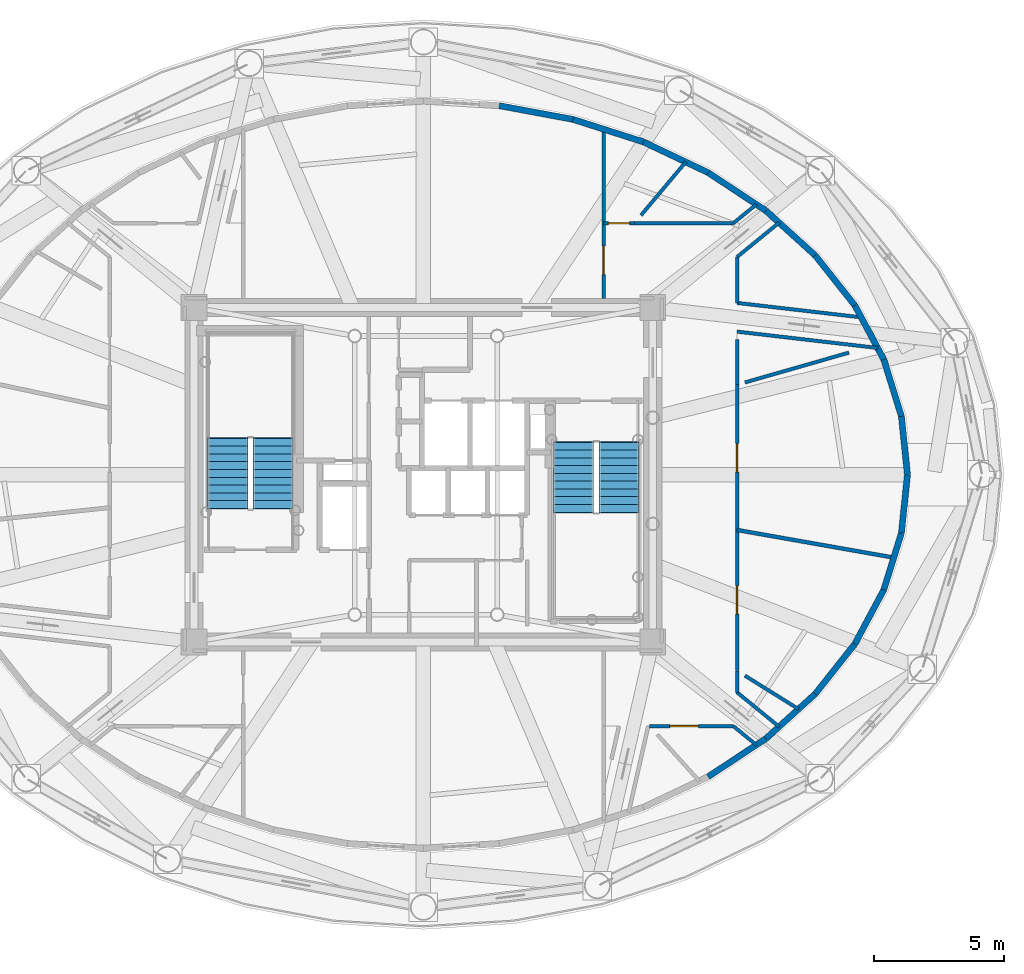
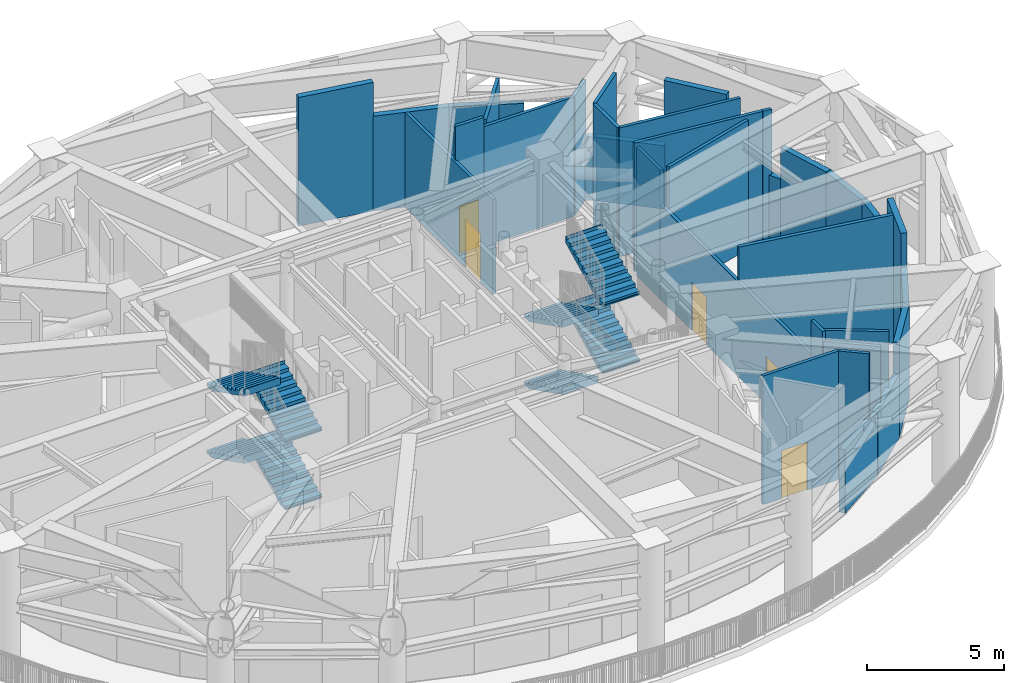
# One storey, part 10 of 17: 34 walls, 8 stair flights, 5 doors, 5 openings, 2 elements without a shape of their own.
"""IFC4 building model written with IfcOpenShell, lengths in metres."""

from ifc_helpers import new_model, si_unit, direction, frame, frame_2d, origin, origin_2d, place, context, subcontext, project, spatial, polyline, rectangle, outline, extrude, source, transform, mapped, material, layer, layer_set, type_object, element, fill, aggregate, save


model = new_model("IFC4")

# Units and contexts
model_context = context("Model", 3, precision=1e-05, world=origin(), true_north=direction((0.0, 1.0)))
body_context = subcontext(model_context, "Body", "Model", "MODEL_VIEW")
ifc_project = project(units=[si_unit("LENGTHUNIT", "METRE"), si_unit("AREAUNIT", "SQUARE_METRE"), si_unit("VOLUMEUNIT", "CUBIC_METRE"), si_unit("PLANEANGLEUNIT", "RADIAN"), si_unit("MASSUNIT", "GRAM", prefix="KILO")], contexts=[model_context])

# Site, building, storey
site_placement = place(None, origin())
site = spatial("IfcSite", under=ifc_project, at=site_placement, CompositionType="ELEMENT")
building_placement = place(site_placement, origin())
building = spatial("IfcBuilding", under=site, at=building_placement, Name="Linh Dai School and Residence Tower", CompositionType="ELEMENT")
storey_placement = place(building_placement, frame((0.0, 0.0, 318.0)))
storey = spatial("IfcBuildingStorey", under=building, at=storey_placement, Name="L79", CompositionType="ELEMENT", Elevation=318.0)

# Walls
ifc_material_1 = material(Name="Precast Concrete B45 (C35/45)", Category="concrete")
ifc_layer_1 = layer(ifc_material_1, 0.239990234375)
ifc_layer_set_1 = layer_set([ifc_layer_1], Name="Precast Concrete B45 (C35/45)")
wall_type_1 = type_object("IfcWallType", Name="EW-TC-240", PredefinedType="SOLIDWALL", material=ifc_layer_set_1)
wall_1_placement = place(storey_placement, frame((54.446044921875, 29.24951171875, 0.0), z_axis=(0.0, 0.0, 1.0), x_axis=(0.101278157468, -0.994858148089, 0.0)))
element("IfcWall", 1, at=wall_1_placement, inside=storey, type_object=wall_type_1, Name="L79 Terracotta Exterior Wall 01", PredefinedType="SOLIDWALL", context=body_context, shape_type="SweptSolid", body=[
    extrude(rectangle(XDim=2.26123046875, YDim=0.239990234375, at=frame_2d((1.130615234375, 0.0))), origin(), (0.0, 0.0, 1.0), 4.235107421875),
])
wall_2_placement = place(storey_placement, frame((53.7646484375, 31.444580078125, 0.0), z_axis=(0.0, 0.0, 1.0), x_axis=(0.296466035026, -0.95504339696, 0.0)))
element("IfcWall", 2, at=wall_2_placement, inside=storey, type_object=wall_type_1, Name="L79 Terracotta Exterior Wall 02", PredefinedType="SOLIDWALL", context=body_context, shape_type="SweptSolid", body=[
    extrude(rectangle(XDim=2.29833984375, YDim=0.239990234375, at=frame_2d((1.149169921875, 0.0))), origin(), (0.0, 0.0, 1.0), 4.235107421875),
])
wall_3_placement = place(storey_placement, frame((52.646484375, 33.5322265625, 0.0), z_axis=(0.0, 0.0, 1.0), x_axis=(0.472149891985, -0.881518280865, 0.0)))
element("IfcWall", 3, at=wall_3_placement, inside=storey, type_object=wall_type_1, Name="L79 Terracotta Exterior Wall 03", PredefinedType="SOLIDWALL", context=body_context, shape_type="SweptSolid", body=[
    extrude(rectangle(XDim=2.3681640625, YDim=0.239990234375, at=frame_2d((1.18408203125, 0.0))), origin(), (0.0, 0.0, 1.0), 2.83203125),
])
wall_4_placement = place(storey_placement, frame((51.118408203125, 35.460693359375, 0.0), z_axis=(0.0, 0.0, 1.0), x_axis=(0.621045987707, -0.783774126361, 0.0)))
element("IfcWall", 4, at=wall_4_placement, inside=storey, type_object=wall_type_1, Name="L79 Terracotta Exterior Wall 04", PredefinedType="SOLIDWALL", context=body_context, shape_type="SweptSolid", body=[
    extrude(rectangle(XDim=2.46044921875, YDim=0.239990234375, at=frame_2d((1.230224609375, 0.0))), origin(), (0.0, 0.0, 1.0), 5.75),
])
wall_5_placement = place(storey_placement, frame((49.217041015625, 37.182373046875, 0.0), z_axis=(0.0, 0.0, 1.0), x_axis=(0.741265131079, -0.671212340058, 0.0)))
element("IfcWall", 5, at=wall_5_placement, inside=storey, type_object=wall_type_1, Name="L79 Terracotta Exterior Wall 05", PredefinedType="SOLIDWALL", context=body_context, shape_type="SweptSolid", body=[
    extrude(rectangle(XDim=2.56494140625, YDim=0.239990234375, at=frame_2d((1.282470703125, 0.0))), origin(), (0.0, 0.0, 1.0), 2.83203125),
])
wall_6_placement = place(storey_placement, frame((46.989013671875, 38.654052734375, 0.0), z_axis=(0.0, 0.0, 1.0), x_axis=(0.834405901953, -0.551150424827, 0.0)))
element("IfcWall", 6, at=wall_6_placement, inside=storey, type_object=wall_type_1, Name="L79 Terracotta Exterior Wall 06", PredefinedType="SOLIDWALL", context=body_context, shape_type="SweptSolid", body=[
    extrude(rectangle(XDim=2.670166015625, YDim=0.239990234375, at=frame_2d((1.3349609375, 0.0))), origin(), (0.0, 0.0, 1.0), 2.83203125),
])
wall_7_placement = place(storey_placement, frame((44.4892578125, 39.8388671875, 0.0), z_axis=(0.0, 0.0, 1.0), x_axis=(0.903637179904, -0.428298782505, 0.0)))
element("IfcWall", 7, at=wall_7_placement, inside=storey, type_object=wall_type_1, Name="L79 Terracotta Exterior Wall 07", PredefinedType="SOLIDWALL", context=body_context, shape_type="SweptSolid", body=[
    extrude(rectangle(XDim=2.766357421875, YDim=0.239990234375, at=frame_2d((1.38330078125, 0.0))), origin(), (0.0, 0.0, 1.0), 4.235107421875),
])
wall_8_placement = place(storey_placement, frame((41.779052734375, 40.70703125, 0.0), z_axis=(0.0, 0.0, 1.0), x_axis=(0.952332464146, -0.305062088326, 0.0)))
element("IfcWall", 8, at=wall_8_placement, inside=storey, type_object=wall_type_1, Name="L79 Terracotta Exterior Wall 08", PredefinedType="SOLIDWALL", context=body_context, shape_type="SweptSolid", body=[
    extrude(rectangle(XDim=2.845947265625, YDim=0.239990234375, at=frame_2d((1.4228515625, 0.0))), origin(), (0.0, 0.0, 1.0), 4.235107421875),
])
wall_9_placement = place(storey_placement, frame((38.92578125, 41.23681640625, 0.0), z_axis=(0.0, 0.0, 1.0), x_axis=(0.983195423776, -0.182556179481, 0.0)))
element("IfcWall", 9, at=wall_9_placement, inside=storey, type_object=wall_type_1, Name="L79 Terracotta Exterior Wall 09", PredefinedType="SOLIDWALL", context=body_context, shape_type="SweptSolid", body=[
    extrude(rectangle(XDim=2.902099609375, YDim=0.239990234375, at=frame_2d((1.451171875, 0.0))), origin(), (0.0, 0.0, 1.0), 5.75),
])
wall_10_placement = place(storey_placement, frame((49.217041015625, 16.817626953125, 0.0), z_axis=(0.0, 0.0, 1.0), x_axis=(-0.834405901953, -0.551150424827, 0.0)))
element("IfcWall", 10, at=wall_10_placement, inside=storey, type_object=wall_type_1, Name="L79 Terracotta Exterior Wall 35", PredefinedType="SOLIDWALL", context=body_context, shape_type="SweptSolid", body=[
    extrude(rectangle(XDim=2.670166015625, YDim=0.239990234375, at=frame_2d((1.3349609375, 0.0))), origin(), (0.0, 0.0, 1.0), 2.83203125),
])
wall_11_placement = place(storey_placement, frame((51.118408203125, 18.539306640625, 0.0), z_axis=(0.0, 0.0, 1.0), x_axis=(-0.741265131079, -0.671212340058, 0.0)))
element("IfcWall", 11, at=wall_11_placement, inside=storey, type_object=wall_type_1, Name="L79 Terracotta Exterior Wall 36", PredefinedType="SOLIDWALL", context=body_context, shape_type="SweptSolid", body=[
    extrude(rectangle(XDim=2.56494140625, YDim=0.239990234375, at=frame_2d((1.282470703125, 0.0))), origin(), (0.0, 0.0, 1.0), 2.83203125),
])
wall_12_placement = place(storey_placement, frame((52.646484375, 20.4677734375, 0.0), z_axis=(0.0, 0.0, 1.0), x_axis=(-0.621045987707, -0.783774126361, 0.0)))
element("IfcWall", 12, at=wall_12_placement, inside=storey, type_object=wall_type_1, Name="L79 Terracotta Exterior Wall 37", PredefinedType="SOLIDWALL", context=body_context, shape_type="SweptSolid", body=[
    extrude(rectangle(XDim=2.46044921875, YDim=0.239990234375, at=frame_2d((1.230224609375, 0.0))), origin(), (0.0, 0.0, 1.0), 4.235107421875),
])
wall_13_placement = place(storey_placement, frame((53.7646484375, 22.555419921875, 0.0), z_axis=(0.0, 0.0, 1.0), x_axis=(-0.472149891985, -0.881518280865, 0.0)))
element("IfcWall", 13, at=wall_13_placement, inside=storey, type_object=wall_type_1, Name="L79 Terracotta Exterior Wall 38", PredefinedType="SOLIDWALL", context=body_context, shape_type="SweptSolid", body=[
    extrude(rectangle(XDim=2.3681640625, YDim=0.239990234375, at=frame_2d((1.18408203125, 0.0))), origin(), (0.0, 0.0, 1.0), 4.235107421875),
])
wall_14_placement = place(storey_placement, frame((54.446044921875, 24.75048828125, 0.0), z_axis=(0.0, 0.0, 1.0), x_axis=(-0.296466035026, -0.95504339696, 0.0)))
element("IfcWall", 14, at=wall_14_placement, inside=storey, type_object=wall_type_1, Name="L79 Terracotta Exterior Wall 39", PredefinedType="SOLIDWALL", context=body_context, shape_type="SweptSolid", body=[
    extrude(rectangle(XDim=2.29833984375, YDim=0.239990234375, at=frame_2d((1.149169921875, 0.0))), origin(), (0.0, 0.0, 1.0), 5.75),
])
wall_15_placement = place(storey_placement, frame((54.675048828125, 27.0, 0.0), z_axis=(0.0, 0.0, 1.0), x_axis=(-0.101278157468, -0.994858148089, 0.0)))
element("IfcWall", 15, at=wall_15_placement, inside=storey, type_object=wall_type_1, Name="L79 Terracotta Exterior Wall 40", PredefinedType="SOLIDWALL", context=body_context, shape_type="SweptSolid", body=[
    extrude(rectangle(XDim=2.26123046875, YDim=0.239990234375, at=frame_2d((1.130615234375, 0.0))), origin(), (0.0, 0.0, 1.0), 4.235107421875),
])

# Wall, opening, door
ifc_material_2 = material(Name="Autoclaved Aerated Concrete Blockwork", Category="masonry")
ifc_layer_2 = layer(ifc_material_2, 0.135009765625)
ifc_layer_set_2 = layer_set([ifc_layer_2], Name="Autoclaved Aerated Concrete Blockwork")
wall_type_2 = type_object("IfcWallType", Name="IW-CORR-135-EI90", PredefinedType="PARTITIONING", material=ifc_layer_set_2)
wall_16_placement = place(storey_placement, frame((42.949951171875, 33.800048828125, 0.0), z_axis=(0.0, 0.0, 1.0), x_axis=(0.0, 1.0, 0.0)))
wall_16 = element("IfcWall", 16, at=wall_16_placement, inside=storey, type_object=wall_type_2, Name="L79 Interior Partition Wall 047", PredefinedType="PARTITIONING", context=body_context, shape_type="SweptSolid", body=[
    extrude(rectangle(XDim=6.537109375, YDim=0.135009765625, at=frame_2d((3.2685546875, 0.0))), origin(), (0.0, 0.0, 1.0), 4.235107421875),
])
opening_1_placement = place(wall_16_placement, frame((0.919921875, 0.0, 0.0)))
opening_1 = element("IfcOpeningElement", 17, at=opening_1_placement, cuts=wall_16, Name="Opening D07", PredefinedType="OPENING", context=body_context, shape_type="SweptSolid", body=[
    extrude(rectangle(XDim=1.10009765625, YDim=2.14990234375, at=origin_2d()), frame((0.550048828125, 0.07763671875, 1.074951171875), z_axis=(0.0, -1.0, 0.0), x_axis=(1.0, 0.0, 0.0)), (0.0, 0.0, 1.0), 0.155029296875),
])
ifc_material_3 = material(Name="Fire-Rated Louvred Steel Plant Door", Category="steel")
door_type_1 = type_object("IfcDoorType", Name="DR-PLT-1100x2150-FD60S", OperationType="NOTDEFINED", PredefinedType="DOOR", material=ifc_material_3)
shared_shape_1 = source(origin(), body_context, "Body", "SweptSolid", [
    extrude(rectangle(XDim=1.10009765625, YDim=2.14990234375, at=origin_2d()), frame((0.550048828125, 0.02490234375, 1.074951171875), z_axis=(0.0, -1.0, 0.0), x_axis=(1.0, 0.0, 0.0)), (0.0, 0.0, 1.0), 0.050048828125),
])
door_1_placement = place(opening_1_placement, origin())
door_1 = element("IfcDoor", 18, at=door_1_placement, inside=storey, type_object=door_type_1, Name="L79 Pressurised Fire Refuge Area North Corridor Door", OperationType="SINGLE_SWING_LEFT", OverallHeight=2.14990234375, OverallWidth=1.10009765625, PredefinedType="DOOR", context=body_context, shape_type="MappedRepresentation", body=[
    mapped(shared_shape_1, transform((0.0, 0.0, 0.0), x_axis=(1.0, 0.0, 0.0), y_axis=(0.0, 1.0, 0.0), z_axis=(0.0, 0.0, 1.0), scale=1.0)),
])
fill(opening_1, door_1)

wall_17_placement = place(storey_placement, frame((42.949951171875, 36.699951171875, 0.0), z_axis=(0.0, 0.0, 1.0), x_axis=(1.0, 0.0, 0.0)))
wall_17 = element("IfcWall", 19, at=wall_17_placement, inside=storey, type_object=wall_type_2, Name="L79 Interior Partition Wall 048", PredefinedType="PARTITIONING", context=body_context, shape_type="SweptSolid", body=[
    extrude(rectangle(XDim=1.189208984375, YDim=0.135009765625, at=frame_2d((0.5947265625, 0.0))), origin(), (0.0, 0.0, 1.0), 5.75),
])
opening_2_placement = place(wall_17_placement, frame((0.1845703125, 0.0, 0.0)))
opening_2 = element("IfcOpeningElement", 20, at=opening_2_placement, cuts=wall_17, Name="Opening D06", PredefinedType="OPENING", context=body_context, shape_type="SweptSolid", body=[
    extrude(rectangle(XDim=0.820068359375, YDim=2.10009765625, at=origin_2d()), frame((0.41015625, 0.07763671875, 1.050048828125), z_axis=(0.0, -1.0, 0.0), x_axis=(1.0, 0.0, 0.0)), (0.0, 0.0, 1.0), 0.155029296875),
])
ifc_material_4 = material(Name="Moisture-Resistant Timber Bathroom Door", Category="wood")
door_type_2 = type_object("IfcDoorType", Name="DR-WET-820x2100", OperationType="NOTDEFINED", PredefinedType="DOOR", material=ifc_material_4)
shared_shape_2 = source(origin(), body_context, "Body", "SweptSolid", [
    extrude(rectangle(XDim=0.820068359375, YDim=2.10009765625, at=origin_2d()), frame((0.41015625, 0.02490234375, 1.050048828125), z_axis=(0.0, -1.0, 0.0), x_axis=(1.0, 0.0, 0.0)), (0.0, 0.0, 1.0), 0.050048828125),
])
door_2_placement = place(opening_2_placement, origin())
door_2 = element("IfcDoor", 21, at=door_2_placement, inside=storey, type_object=door_type_2, Name="L79 Zone Domestic Booster Pump Plant Room Door", OperationType="SINGLE_SWING_LEFT", OverallHeight=2.10009765625, OverallWidth=0.820068359375, PredefinedType="DOOR", context=body_context, shape_type="MappedRepresentation", body=[
    mapped(shared_shape_2, transform((0.0, 0.0, 0.0), x_axis=(1.0, 0.0, 0.0), y_axis=(0.0, 1.0, 0.0), z_axis=(0.0, 0.0, 1.0), scale=1.0)),
])
fill(opening_2, door_2)

wall_18_placement = place(storey_placement, frame((44.73388671875, 17.300048828125, 0.0), z_axis=(0.0, 0.0, 1.0), x_axis=(1.0, 0.0, 0.0)))
wall_18 = element("IfcWall", 22, at=wall_18_placement, inside=storey, type_object=wall_type_2, Name="L79 Interior Partition Wall 049", PredefinedType="PARTITIONING", context=body_context, shape_type="SweptSolid", body=[
    extrude(rectangle(XDim=3.223876953125, YDim=0.135009765625, at=frame_2d((1.61181640625, 0.0))), origin(), (0.0, 0.0, 1.0), 5.75),
])
opening_3_placement = place(wall_18_placement, frame((0.779296875, 0.0, 0.0)))
opening_3 = element("IfcOpeningElement", 23, at=opening_3_placement, cuts=wall_18, Name="Opening D07", PredefinedType="OPENING", context=body_context, shape_type="SweptSolid", body=[
    extrude(rectangle(XDim=1.10009765625, YDim=2.14990234375, at=origin_2d()), frame((0.550048828125, 0.07763671875, 1.074951171875), z_axis=(0.0, -1.0, 0.0), x_axis=(1.0, 0.0, 0.0)), (0.0, 0.0, 1.0), 0.155029296875),
])
door_3_placement = place(opening_3_placement, origin())
door_3 = element("IfcDoor", 24, at=door_3_placement, inside=storey, type_object=door_type_1, Name="L79 Refuge Emergency Equipment & First-Aid Store Door", OperationType="SINGLE_SWING_RIGHT", OverallHeight=2.14990234375, OverallWidth=1.10009765625, PredefinedType="DOOR", context=body_context, shape_type="MappedRepresentation", body=[
    mapped(shared_shape_1, transform((0.0, 0.0, 0.0), x_axis=(1.0, 0.0, 0.0), y_axis=(0.0, 1.0, 0.0), z_axis=(0.0, 0.0, 1.0), scale=1.0)),
])
fill(opening_3, door_3)

# Wall
wall_19_placement = place(storey_placement, frame((47.957763671875, 17.300048828125, 0.0), z_axis=(0.0, 0.0, 1.0), x_axis=(0.774324787676, -0.632788371568, 0.0)))
element("IfcWall", 25, at=wall_19_placement, inside=storey, type_object=wall_type_2, Name="L79 Interior Partition Wall 050", PredefinedType="PARTITIONING", context=body_context, shape_type="SweptSolid", body=[
    extrude(rectangle(XDim=1.154052734375, YDim=0.135009765625, at=frame_2d((0.5771484375, 0.0))), origin(), (0.0, 0.0, 1.0), 5.75),
])

# Wall, openings, doors
wall_20_placement = place(storey_placement, frame((48.10009765625, 19.43896484375, 0.0), z_axis=(0.0, 0.0, 1.0), x_axis=(0.0, 1.0, 0.0)))
wall_20 = element("IfcWall", 26, at=wall_20_placement, inside=storey, type_object=wall_type_2, Name="L79 Interior Partition Wall 051", PredefinedType="PARTITIONING", context=body_context, shape_type="SweptSolid", body=[
    extrude(rectangle(XDim=11.03076171875, YDim=0.135009765625, at=frame_2d((5.515380859375, 0.0))), origin(), (0.0, 0.0, 1.0), 4.235107421875),
])
opening_4_placement = place(wall_20_placement, frame((2.18359375, 0.0, 0.0)))
opening_4 = element("IfcOpeningElement", 27, at=opening_4_placement, cuts=wall_20, Name="Opening D07", PredefinedType="OPENING", context=body_context, shape_type="SweptSolid", body=[
    extrude(rectangle(XDim=1.10009765625, YDim=2.14990234375, at=origin_2d()), frame((0.550048828125, 0.07763671875, 1.074951171875), z_axis=(0.0, -1.0, 0.0), x_axis=(1.0, 0.0, 0.0)), (0.0, 0.0, 1.0), 0.155029296875),
])
opening_5_placement = place(wall_20_placement, frame((7.658935546875, 0.0, 0.0)))
opening_5 = element("IfcOpeningElement", 28, at=opening_5_placement, cuts=wall_20, Name="Opening D07", PredefinedType="OPENING", context=body_context, shape_type="SweptSolid", body=[
    extrude(rectangle(XDim=1.10009765625, YDim=2.14990234375, at=origin_2d()), frame((0.550048828125, 0.07763671875, 1.074951171875), z_axis=(0.0, -1.0, 0.0), x_axis=(1.0, 0.0, 0.0)), (0.0, 0.0, 1.0), 0.155029296875),
])
door_4_placement = place(opening_4_placement, origin())
door_4 = element("IfcDoor", 29, at=door_4_placement, inside=storey, type_object=door_type_1, Name="L79 Primary Air-Handling Plant Room East 1 Door", OperationType="SINGLE_SWING_LEFT", OverallHeight=2.14990234375, OverallWidth=1.10009765625, PredefinedType="DOOR", context=body_context, shape_type="MappedRepresentation", body=[
    mapped(shared_shape_1, transform((0.0, 0.0, 0.0), x_axis=(1.0, 0.0, 0.0), y_axis=(0.0, 1.0, 0.0), z_axis=(0.0, 0.0, 1.0), scale=1.0)),
])
fill(opening_4, door_4)
door_5_placement = place(opening_5_placement, origin())
door_5 = element("IfcDoor", 30, at=door_5_placement, inside=storey, type_object=door_type_1, Name="L79 Primary Air-Handling Plant Room East 2 Door", OperationType="SINGLE_SWING_RIGHT", OverallHeight=2.14990234375, OverallWidth=1.10009765625, PredefinedType="DOOR", context=body_context, shape_type="MappedRepresentation", body=[
    mapped(shared_shape_1, transform((0.0, 0.0, 0.0), x_axis=(1.0, 0.0, 0.0), y_axis=(0.0, 1.0, 0.0), z_axis=(0.0, 0.0, 1.0), scale=1.0)),
])
fill(opening_5, door_5)

# Walls
wall_21_placement = place(storey_placement, frame((53.185546875, 31.927978515625, 0.0), z_axis=(0.0, 0.0, 1.0), x_axis=(0.993273839517, -0.115788944775, 0.0)))
element("IfcWall", 31, at=wall_21_placement, inside=storey, type_object=wall_type_2, Name="L79 Interior Partition Wall 053", PredefinedType="PARTITIONING", context=body_context, shape_type="SweptSolid", body=[
    extrude(rectangle(XDim=0.35009765625, YDim=0.135009765625, at=frame_2d((0.175048828125, 0.0))), origin(), (0.0, 0.0, 1.0), 5.75),
])
wall_22_placement = place(storey_placement, frame((44.149169921875, 36.699951171875, 0.0), z_axis=(0.0, 0.0, 1.0), x_axis=(1.0, 0.0, 0.0)))
element("IfcWall", 32, at=wall_22_placement, inside=storey, type_object=wall_type_2, Name="L79 Interior Partition Wall 075", PredefinedType="PARTITIONING", context=body_context, shape_type="SweptSolid", body=[
    extrude(rectangle(XDim=3.80859375, YDim=0.135009765625, at=frame_2d((1.904296875, 0.0))), origin(), (0.0, 0.0, 1.0), 5.3349609375),
])
wall_23_placement = place(storey_placement, frame((47.957763671875, 36.699951171875, 0.0), z_axis=(0.0, 0.0, 1.0), x_axis=(0.774324787676, 0.632788371568, 0.0)))
element("IfcWall", 33, at=wall_23_placement, inside=storey, type_object=wall_type_2, Name="L79 Interior Partition Wall 076", PredefinedType="PARTITIONING", context=body_context, shape_type="SweptSolid", body=[
    extrude(rectangle(XDim=1.154052734375, YDim=0.135009765625, at=frame_2d((0.5771484375, 0.0))), origin(), (0.0, 0.0, 1.0), 5.3349609375),
])
wall_24_placement = place(storey_placement, frame((49.728271484375, 36.726318359375, 0.0), z_axis=(0.0, 0.0, 1.0), x_axis=(-0.774324461251, -0.632788771003, 0.0)))
element("IfcWall", 34, at=wall_24_placement, inside=storey, type_object=wall_type_2, Name="L79 Interior Partition Wall 077", PredefinedType="PARTITIONING", context=body_context, shape_type="SweptSolid", body=[
    extrude(rectangle(XDim=2.102783203125, YDim=0.135009765625, at=frame_2d((1.05126953125, 0.0))), origin(), (0.0, 0.0, 1.0), 5.75),
])
wall_25_placement = place(storey_placement, frame((48.10009765625, 35.395751953125, 0.0), z_axis=(0.0, 0.0, 1.0), x_axis=(0.0, -1.0, 0.0)))
element("IfcWall", 35, at=wall_25_placement, inside=storey, type_object=wall_type_2, Name="L79 Interior Partition Wall 078", PredefinedType="PARTITIONING", context=body_context, shape_type="SweptSolid", body=[
    extrude(rectangle(XDim=1.76953125, YDim=0.135009765625, at=frame_2d((0.884765625, 0.0))), origin(), (0.0, 0.0, 1.0), 5.75),
])
wall_26_placement = place(storey_placement, frame((48.10009765625, 33.626220703125, 0.0), z_axis=(0.0, 0.0, 1.0), x_axis=(0.993315464897, -0.115431309428, 0.0)))
element("IfcWall", 36, at=wall_26_placement, inside=storey, type_object=wall_type_2, Name="L79 Interior Partition Wall 079", PredefinedType="PARTITIONING", context=body_context, shape_type="SweptSolid", body=[
    extrude(rectangle(XDim=4.832763671875, YDim=0.135009765625, at=frame_2d((2.41650390625, 0.0))), origin(), (0.0, 0.0, 1.0), 5.75),
])
wall_27_placement = place(storey_placement, frame((53.17578125, 31.928955078125, 0.0), z_axis=(0.0, 0.0, 1.0), x_axis=(-0.993315281572, 0.115432886978, 0.0)))
element("IfcWall", 37, at=wall_27_placement, inside=storey, type_object=wall_type_2, Name="L79 Interior Partition Wall 080", PredefinedType="PARTITIONING", context=body_context, shape_type="SweptSolid", body=[
    extrude(rectangle(XDim=5.10986328125, YDim=0.135009765625, at=frame_2d((2.554931640625, 0.0))), origin(), (0.0, 0.0, 1.0), 5.75),
])
wall_28_placement = place(storey_placement, frame((48.10009765625, 32.209228515625, 0.0), z_axis=(0.0, 0.0, 1.0), x_axis=(0.0, -1.0, 0.0)))
element("IfcWall", 38, at=wall_28_placement, inside=storey, type_object=wall_type_2, Name="L79 Interior Partition Wall 081", PredefinedType="PARTITIONING", context=body_context, shape_type="SweptSolid", body=[
    extrude(rectangle(XDim=1.7294921875, YDim=0.135009765625, at=frame_2d((0.86474609375, 0.0))), origin(), (0.0, 0.0, 1.0), 5.75),
])
wall_29_placement = place(storey_placement, frame((48.10009765625, 19.42919921875, 0.0), z_axis=(0.0, 0.0, 1.0), x_axis=(0.0, -1.0, 0.0)))
element("IfcWall", 39, at=wall_29_placement, inside=storey, type_object=wall_type_2, Name="L79 Interior Partition Wall 082", PredefinedType="PARTITIONING", context=body_context, shape_type="SweptSolid", body=[
    extrude(rectangle(XDim=0.824951171875, YDim=0.135009765625, at=frame_2d((0.41259765625, 0.0))), origin(), (0.0, 0.0, 1.0), 5.75),
])
wall_30_placement = place(storey_placement, frame((48.10009765625, 18.604248046875, 0.0), z_axis=(0.0, 0.0, 1.0), x_axis=(0.774324461251, -0.632788771003, 0.0)))
element("IfcWall", 40, at=wall_30_placement, inside=storey, type_object=wall_type_2, Name="L79 Interior Partition Wall 083", PredefinedType="PARTITIONING", context=body_context, shape_type="SweptSolid", body=[
    extrude(rectangle(XDim=2.102783203125, YDim=0.135009765625, at=frame_2d((1.05126953125, 0.0))), origin(), (0.0, 0.0, 1.0), 5.3349609375),
])
wall_31_placement = place(storey_placement, frame((50.478271484375, 17.952880859375, 0.0), z_axis=(0.0, 0.0, 1.0), x_axis=(-0.848054469379, 0.529909064809, 0.0)))
element("IfcWall", 41, at=wall_31_placement, inside=storey, type_object=wall_type_2, Name="L79 Interior Partition Wall 084", PredefinedType="PARTITIONING", context=body_context, shape_type="SweptSolid", body=[
    extrude(rectangle(XDim=2.44189453125, YDim=0.135009765625, at=frame_2d((1.220947265625, 0.0))), origin(), (0.0, 0.0, 1.0), 5.3349609375),
])
wall_32_placement = place(storey_placement, frame((48.407470703125, 30.557861328125, 0.0), z_axis=(0.0, 0.0, 1.0), x_axis=(0.961269545764, 0.275609978751, 0.0)))
element("IfcWall", 42, at=wall_32_placement, inside=storey, type_object=wall_type_2, Name="L79 Interior Partition Wall 085", PredefinedType="PARTITIONING", context=body_context, shape_type="SweptSolid", body=[
    extrude(rectangle(XDim=4.17138671875, YDim=0.135009765625, at=frame_2d((2.085693359375, 0.0))), origin(), (0.0, 0.0, 1.0), 5.75),
])
wall_33_placement = place(storey_placement, frame((46.126708984375, 39.068359375, 0.0), z_axis=(0.0, 0.0, 1.0), x_axis=(-0.642849381004, -0.765992606585, 0.0)))
element("IfcWall", 43, at=wall_33_placement, inside=storey, type_object=wall_type_2, Name="L79 Interior Partition Wall 086", PredefinedType="PARTITIONING", context=body_context, shape_type="SweptSolid", body=[
    extrude(rectangle(XDim=2.6904296875, YDim=0.135009765625, at=frame_2d((1.34521484375, 0.0))), origin(), (0.0, 0.0, 1.0), 5.3349609375),
])
ifc_layer_3 = layer(ifc_material_2, 0.14990234375)
ifc_layer_set_3 = layer_set([ifc_layer_3], Name="Autoclaved Aerated Concrete Blockwork")
wall_type_3 = type_object("IfcWallType", Name="IW-SCH-150-EI60", PredefinedType="PARTITIONING", material=ifc_layer_set_3)
wall_34_placement = place(storey_placement, frame((48.10009765625, 24.866455078125, 0.0), z_axis=(0.0, 0.0, 1.0), x_axis=(0.984805134994, -0.173663024531, 0.0)))
element("IfcWall", 44, at=wall_34_placement, inside=storey, type_object=wall_type_3, Name="L79 Interior Partition Wall 052", PredefinedType="PARTITIONING", context=body_context, shape_type="SweptSolid", body=[
    extrude(rectangle(XDim=6.149169921875, YDim=0.14990234375, at=frame_2d((3.07470703125, 0.0))), origin(), (0.0, 0.0, 1.0), 5.75),
])

# Stair, stair flights
ifc_material_5 = material(Name="Concrete B45 (C35/45)", Category="concrete")
stair_type = type_object("IfcStairType", Name="ST-DOG-1550-R1500", PredefinedType="HALF_TURN_STAIR", material=ifc_material_5)
stair_1_placement = place(storey_placement, origin())
stair_1 = element("IfcStair", 45, at=stair_1_placement, inside=storey, type_object=stair_type, Name="L79 Core Smokeproof Exit Stair ST1", PredefinedType="HALF_TURN_STAIR")
stair_flight_type = type_object("IfcStairFlightType", Name="STF-STR-1550-R1500", PredefinedType="STRAIGHT", material=ifc_material_5)
shared_shape_3 = source(origin(), body_context, "Body", "SweptSolid", [
    extrude(outline(polyline([(-0.02490234375, 0.0), (-0.02490234375, 0.06005859375), (0.0, 0.06005859375), (0.0, 0.14990234375), (0.300048828125, 0.14990234375), (0.300048828125, 0.300048828125), (0.60009765625, 0.300048828125), (0.60009765625, 0.449951171875), (0.89990234375, 0.449951171875), (0.89990234375, 0.60009765625), (1.199951171875, 0.60009765625), (1.199951171875, 0.75), (1.5, 0.75), (1.5, 0.89990234375), (1.800048828125, 0.89990234375), (1.800048828125, 1.050048828125), (2.10009765625, 1.050048828125), (2.10009765625, 1.199951171875), (2.39990234375, 1.199951171875), (2.39990234375, 1.35009765625), (2.699951171875, 1.35009765625), (2.699951171875, 1.5), (2.72509765625, 1.5), (2.72509765625, 1.182373046875), (2.699951171875, 1.182373046875), (0.335205078125, 0.0), (-0.02490234375, 0.0)])), frame((0.0, 0.77490234375, 0.0), z_axis=(0.0, -1.0, 0.0), x_axis=(1.0, 0.0, 0.0)), (0.0, 0.0, 1.0), 1.550048828125),
])
stair_flight_1_placement = place(storey_placement, frame((30.205078125, 25.699951171875, 0.0), z_axis=(0.0, 0.0, 1.0), x_axis=(0.0, 1.0, 0.0)))
stair_flight_1 = element("IfcStairFlight", 46, at=stair_flight_1_placement, type_object=stair_flight_type, Name="ST1 flight 1", NumberOfRisers=10, NumberOfTreads=9, PredefinedType="STRAIGHT", RiserHeight=0.15, TreadLength=0.3, context=body_context, shape_type="MappedRepresentation", body=[
    mapped(shared_shape_3, transform((0.0, 0.0, 0.0), x_axis=(1.0, 0.0, 0.0), y_axis=(0.0, 1.0, 0.0), z_axis=(0.0, 0.0, 1.0), scale=1.0)),
])
stair_flight_2_placement = place(storey_placement, frame((28.455078125, 28.39990234375, 1.5), z_axis=(0.0, 0.0, 1.0), x_axis=(0.0, -1.0, 0.0)))
stair_flight_2 = element("IfcStairFlight", 47, at=stair_flight_2_placement, type_object=stair_flight_type, Name="ST1 flight 2", NumberOfRisers=10, NumberOfTreads=9, PredefinedType="STRAIGHT", RiserHeight=0.15, TreadLength=0.3, context=body_context, shape_type="MappedRepresentation", body=[
    mapped(shared_shape_3, transform((0.0, 0.0, 0.0), x_axis=(1.0, 0.0, 0.0), y_axis=(0.0, 1.0, 0.0), z_axis=(0.0, 0.0, 1.0), scale=1.0)),
])
stair_flight_3_placement = place(storey_placement, frame((30.205078125, 25.699951171875, 3.0), z_axis=(0.0, 0.0, 1.0), x_axis=(0.0, 1.0, 0.0)))
stair_flight_3 = element("IfcStairFlight", 48, at=stair_flight_3_placement, type_object=stair_flight_type, Name="ST1 flight 3", NumberOfRisers=10, NumberOfTreads=9, PredefinedType="STRAIGHT", RiserHeight=0.15, TreadLength=0.3, context=body_context, shape_type="MappedRepresentation", body=[
    mapped(shared_shape_3, transform((0.0, 0.0, 0.0), x_axis=(1.0, 0.0, 0.0), y_axis=(0.0, 1.0, 0.0), z_axis=(0.0, 0.0, 1.0), scale=1.0)),
])
stair_flight_4_placement = place(storey_placement, frame((28.455078125, 28.39990234375, 4.5), z_axis=(0.0, 0.0, 1.0), x_axis=(0.0, -1.0, 0.0)))
stair_flight_4 = element("IfcStairFlight", 49, at=stair_flight_4_placement, type_object=stair_flight_type, Name="ST1 flight 4", NumberOfRisers=10, NumberOfTreads=9, PredefinedType="STRAIGHT", RiserHeight=0.15, TreadLength=0.3, context=body_context, shape_type="MappedRepresentation", body=[
    mapped(shared_shape_3, transform((0.0, 0.0, 0.0), x_axis=(1.0, 0.0, 0.0), y_axis=(0.0, 1.0, 0.0), z_axis=(0.0, 0.0, 1.0), scale=1.0)),
])
aggregate(stair_1, [stair_flight_1, stair_flight_2, stair_flight_3, stair_flight_4])

stair_2_placement = place(storey_placement, origin())
stair_2 = element("IfcStair", 50, at=stair_2_placement, inside=storey, type_object=stair_type, Name="L79 Core Smokeproof Exit Stair ST2", PredefinedType="HALF_TURN_STAIR")
stair_flight_5_placement = place(storey_placement, frame((41.794921875, 28.25, 0.0), z_axis=(0.0, 0.0, 1.0), x_axis=(0.0, -1.0, 0.0)))
stair_flight_5 = element("IfcStairFlight", 51, at=stair_flight_5_placement, type_object=stair_flight_type, Name="ST2 flight 1", NumberOfRisers=10, NumberOfTreads=9, PredefinedType="STRAIGHT", RiserHeight=0.15, TreadLength=0.3, context=body_context, shape_type="MappedRepresentation", body=[
    mapped(shared_shape_3, transform((0.0, 0.0, 0.0), x_axis=(1.0, 0.0, 0.0), y_axis=(0.0, 1.0, 0.0), z_axis=(0.0, 0.0, 1.0), scale=1.0)),
])
stair_flight_6_placement = place(storey_placement, frame((43.544921875, 25.550048828125, 1.5), z_axis=(0.0, 0.0, 1.0), x_axis=(0.0, 1.0, 0.0)))
stair_flight_6 = element("IfcStairFlight", 52, at=stair_flight_6_placement, type_object=stair_flight_type, Name="ST2 flight 2", NumberOfRisers=10, NumberOfTreads=9, PredefinedType="STRAIGHT", RiserHeight=0.15, TreadLength=0.3, context=body_context, shape_type="MappedRepresentation", body=[
    mapped(shared_shape_3, transform((0.0, 0.0, 0.0), x_axis=(1.0, 0.0, 0.0), y_axis=(0.0, 1.0, 0.0), z_axis=(0.0, 0.0, 1.0), scale=1.0)),
])
stair_flight_7_placement = place(storey_placement, frame((41.794921875, 28.25, 3.0), z_axis=(0.0, 0.0, 1.0), x_axis=(0.0, -1.0, 0.0)))
stair_flight_7 = element("IfcStairFlight", 53, at=stair_flight_7_placement, type_object=stair_flight_type, Name="ST2 flight 3", NumberOfRisers=10, NumberOfTreads=9, PredefinedType="STRAIGHT", RiserHeight=0.15, TreadLength=0.3, context=body_context, shape_type="MappedRepresentation", body=[
    mapped(shared_shape_3, transform((0.0, 0.0, 0.0), x_axis=(1.0, 0.0, 0.0), y_axis=(0.0, 1.0, 0.0), z_axis=(0.0, 0.0, 1.0), scale=1.0)),
])
stair_flight_8_placement = place(storey_placement, frame((43.544921875, 25.550048828125, 4.5), z_axis=(0.0, 0.0, 1.0), x_axis=(0.0, 1.0, 0.0)))
stair_flight_8 = element("IfcStairFlight", 54, at=stair_flight_8_placement, type_object=stair_flight_type, Name="ST2 flight 4", NumberOfRisers=10, NumberOfTreads=9, PredefinedType="STRAIGHT", RiserHeight=0.15, TreadLength=0.3, context=body_context, shape_type="MappedRepresentation", body=[
    mapped(shared_shape_3, transform((0.0, 0.0, 0.0), x_axis=(1.0, 0.0, 0.0), y_axis=(0.0, 1.0, 0.0), z_axis=(0.0, 0.0, 1.0), scale=1.0)),
])
aggregate(stair_2, [stair_flight_5, stair_flight_6, stair_flight_7, stair_flight_8])

save(model, "model.ifc")
